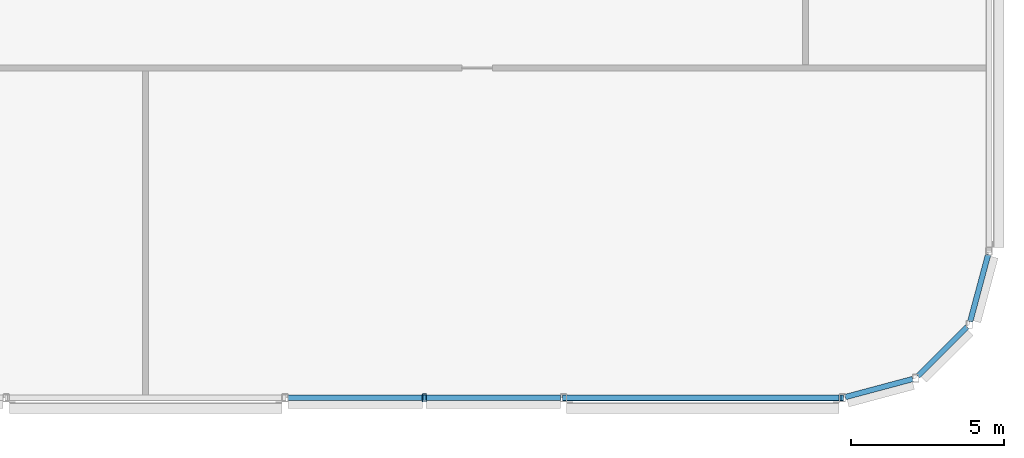
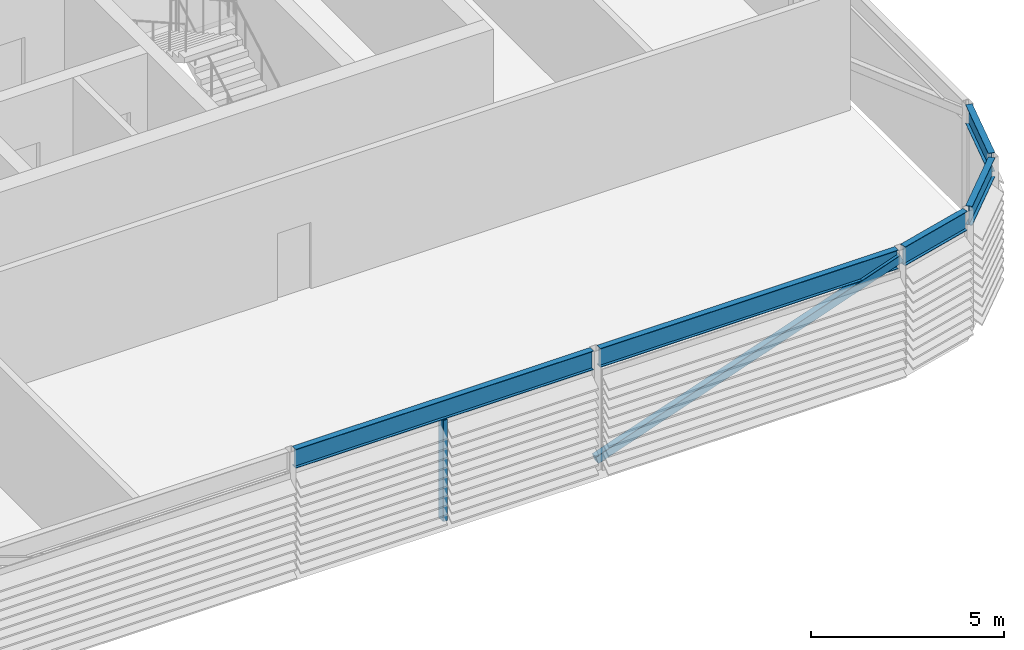
# One storey, part 8 of 28: 5 beams, 2 members.
"""IFC4 building model written with IfcOpenShell, lengths in metres."""

import ifcopenshell
import ifcopenshell.guid

model = None  # the IFC model being written
_history = None  # IfcOwnerHistory: only IFC2X3 demands one
_inside = {}  # id of a spatial element -> (the spatial element, [elements in it])
_under = {}  # id of a project, library or spatial element -> (it, [spatial elements below it])
_declared = {}  # id of a project -> (the project, [libraries it declares])
_typed = {}  # id of a type object -> (the type object, [elements of that type])
_made_of = {}  # id of a material, layer set ... -> (it, [elements and type objects made of it])


def new_model(schema):
    """Start an empty IFC model of exactly this schema.

    Asked for "IFC4X3", IfcOpenShell would pick the latest addendum, in which some entities
    have other attributes; the version numbers below select the first issue.
    IFC2X3 requires an IfcOwnerHistory on every rooted entity: one is made here for all.
    """
    global model, _history
    if schema == "IFC4X3":
        model = ifcopenshell.file(schema_version=(4, 3, 0, 0))
    else:
        model = ifcopenshell.file(schema=schema)
    _inside.clear()
    _under.clear()
    _declared.clear()
    _typed.clear()
    _made_of.clear()
    _history = None
    if model.schema == "IFC2X3":
        org = make("IfcOrganization", Name="unknown")
        user = make(
            "IfcPersonAndOrganization",
            ThePerson=make("IfcPerson", FamilyName="unknown"),
            TheOrganization=org,
        )
        app = make(
            "IfcApplication",
            ApplicationDeveloper=org,
            Version="unknown",
            ApplicationFullName="unknown",
            ApplicationIdentifier="unknown",
        )
        _history = make(
            "IfcOwnerHistory",
            OwningUser=user,
            OwningApplication=app,
            ChangeAction="ADDED",
            CreationDate=0,
        )
    return model


def make(cls, **values):
    """One entity of the class cls with the attributes given. An attribute that is None is left unset."""
    return model.create_entity(
        cls, **{name: value for name, value in values.items() if value is not None}
    )


def rooted(cls, **values):
    """An entity with a GlobalId (a new one), such as an element, a storey or a relation."""
    return make(cls, GlobalId=ifcopenshell.guid.new(), OwnerHistory=_history, **values)


def si_unit(unit_type, name, prefix=None):
    """IfcSIUnit, for example si_unit("LENGTHUNIT", "METRE", prefix="MILLI")."""
    return make("IfcSIUnit", UnitType=unit_type, Prefix=prefix, Name=name)


def assignment(units):
    """IfcUnitAssignment: the units of a project."""
    return None if units is None else make("IfcUnitAssignment", Units=units)


def point(xyz):
    """IfcCartesianPoint."""
    return None if xyz is None else make("IfcCartesianPoint", Coordinates=xyz)


def direction(xyz):
    """IfcDirection."""
    return None if xyz is None else make("IfcDirection", DirectionRatios=xyz)


def frame(location, z_axis=None, x_axis=None):
    """IfcAxis2Placement3D, a coordinate frame: its origin and axes. An axis left out is left unset."""
    return make(
        "IfcAxis2Placement3D",
        Location=point(location),
        Axis=direction(z_axis),
        RefDirection=direction(x_axis),
    )


def frame_2d(location, x_axis=None):
    """IfcAxis2Placement2D, a coordinate frame in the plane: its origin and x axis."""
    return make(
        "IfcAxis2Placement2D", Location=point(location), RefDirection=direction(x_axis)
    )


def origin():
    """The frame at (0, 0, 0) with its axes left unset."""
    return frame((0.0, 0.0, 0.0))


def origin_2d():
    """The frame at (0, 0) in the plane with its x axis left unset."""
    return frame_2d((0.0, 0.0))


def place(relative_to, where):
    """IfcLocalPlacement: puts the frame where relative to a parent placement (None: the world)."""
    return make(
        "IfcLocalPlacement", PlacementRelTo=relative_to, RelativePlacement=where
    )


def context(
    kind, dimensions, precision=None, world=None, true_north=None, identifier=None
):
    """IfcGeometricRepresentationContext, for example the 3D "Model" context."""
    return make(
        "IfcGeometricRepresentationContext",
        ContextIdentifier=identifier,
        ContextType=kind,
        CoordinateSpaceDimension=dimensions,
        Precision=precision,
        WorldCoordinateSystem=world,
        TrueNorth=true_north,
    )


def subcontext(parent, identifier, kind, view, scale=None):
    """IfcGeometricRepresentationSubContext, for example "Body" below "Model"."""
    return make(
        "IfcGeometricRepresentationSubContext",
        ContextIdentifier=identifier,
        ContextType=kind,
        ParentContext=parent,
        TargetScale=scale,
        TargetView=view,
    )


def project(units=None, contexts=None):
    """IfcProject with its units and contexts."""
    return rooted(
        "IfcProject",
        Name="project",
        RepresentationContexts=contexts,
        UnitsInContext=assignment(units),
    )


def spatial(cls, under=None, at=None, **own):
    """A site, building, storey or space (cls), placed at a placement, below another one or the project."""
    s = rooted(cls, ObjectPlacement=at, **own)
    if under is not None:
        _under.setdefault(under.id(), (under, []))[1].append(s)
    return s


def profile(cls, at=None, kind="AREA", **sizes):
    """A parametric profile (cls). Its sizes go by their IFC names, for example OverallWidth=200.0."""
    return make(cls, ProfileType=kind, Position=at, **sizes)


def hollow_rectangle(**sizes):
    """IfcRectangleHollowProfileDef."""
    return profile("IfcRectangleHollowProfileDef", **sizes)


def i_section(**sizes):
    """IfcIShapeProfileDef."""
    return profile("IfcIShapeProfileDef", **sizes)


def extrude(swept, where, along, depth):
    """IfcExtrudedAreaSolid: the profile swept, set in the frame where, extruded along a direction by depth."""
    return make(
        "IfcExtrudedAreaSolid",
        SweptArea=swept,
        Position=where,
        ExtrudedDirection=direction(along),
        Depth=depth,
    )


def shape(context_of_items, identifier, shape_type, items):
    """IfcShapeRepresentation: the items that make up one representation, for example the "Body"."""
    return make(
        "IfcShapeRepresentation",
        ContextOfItems=context_of_items,
        RepresentationIdentifier=identifier,
        RepresentationType=shape_type,
        Items=items,
    )


def material(Name=None, Category=None):
    """IfcMaterial."""
    return make("IfcMaterial", Name=Name, Category=Category)


def material_profile(
    of_material, cross_section, Name=None, Category=None, Priority=None
):
    """IfcMaterialProfile: a cross section and its material."""
    return make(
        "IfcMaterialProfile",
        Name=Name,
        Material=of_material,
        Profile=cross_section,
        Priority=Priority,
        Category=Category,
    )


def profile_set(profiles, Name=None, composite=None):
    """IfcMaterialProfileSet."""
    return make(
        "IfcMaterialProfileSet",
        Name=Name,
        MaterialProfiles=profiles,
        CompositeProfile=composite,
    )


def made_of(thing, what):
    """Note that an element or type object is made of a material, layer set ...; save() writes the relation."""
    if what is not None:
        _made_of.setdefault(what.id(), (what, []))[1].append(thing)
    return thing


def type_object(cls, material=None, **own):
    """A type object (cls), such as IfcWallType, which elements share."""
    return made_of(rooted(cls, **own), material)


def element(
    cls,
    number,
    at=None,
    inside=None,
    cuts=None,
    type_object=None,
    material=None,
    context=None,
    identifier="Body",
    shape_type=None,
    held_by="IfcProductDefinitionShape",
    body=None,
    shapes=None,
    **own,
):
    """One element of the class cls, such as IfcWall. Its Tag is "e" and its number.

    at: its placement. inside: the storey or other place that contains it. cuts: it is an
    opening in that element (IfcRelVoidsElement). A single representation is given by context,
    identifier, shape_type and body (its items); several are given by shapes. held_by: the class
    of the entity that holds the representations. save() writes the other relations.
    """
    e = rooted(cls, Tag="e%d" % number, ObjectPlacement=at, **own)
    if body is not None:
        shapes = [shape(context, identifier, shape_type, body)]
    if shapes is not None:
        e.Representation = make(held_by, Representations=shapes)
    if inside is not None:
        _inside.setdefault(inside.id(), (inside, []))[1].append(e)
    if cuts is not None:
        rooted(
            "IfcRelVoidsElement", RelatingBuildingElement=cuts, RelatedOpeningElement=e
        )
    if type_object is not None:
        _typed.setdefault(type_object.id(), (type_object, []))[1].append(e)
    return made_of(e, material)


def aggregate(whole, parts):
    """IfcRelAggregates: a whole, such as a stair, and the parts it consists of."""
    return rooted("IfcRelAggregates", RelatingObject=whole, RelatedObjects=parts)


def save(model, path):
    """Write the relations noted so far, then the file.

    IfcRelAggregates (storeys below a building ...), IfcRelContainedInSpatialStructure (elements
    in a storey), IfcRelDefinesByType, IfcRelAssociatesMaterial and IfcRelDeclares: one each for
    every whole, place, type object, material and project.
    """
    for whole, parts in _under.values():
        aggregate(whole, parts)
    for where, things in _inside.values():
        rooted(
            "IfcRelContainedInSpatialStructure",
            RelatedElements=things,
            RelatingStructure=where,
        )
    for kind, things in _typed.values():
        rooted("IfcRelDefinesByType", RelatedObjects=things, RelatingType=kind)
    for what, things in _made_of.values():
        rooted("IfcRelAssociatesMaterial", RelatedObjects=things, RelatingMaterial=what)
    for by, libraries in _declared.values():
        rooted("IfcRelDeclares", RelatingContext=by, RelatedDefinitions=libraries)
    model.write(path)


model = new_model("IFC4")

# Units and contexts
model_context = context("Model", 3, precision=1e-05, world=origin(), true_north=direction((0.0, 1.0)))
body_context = subcontext(model_context, "Body", "Model", "MODEL_VIEW")
ifc_project = project(units=[si_unit("LENGTHUNIT", "METRE"), si_unit("AREAUNIT", "SQUARE_METRE"), si_unit("VOLUMEUNIT", "CUBIC_METRE"), si_unit("PLANEANGLEUNIT", "RADIAN"), si_unit("MASSUNIT", "GRAM", prefix="KILO")], contexts=[model_context])

# Site, building, storey
site_placement = place(None, origin())
site = spatial("IfcSite", under=ifc_project, at=site_placement, CompositionType="ELEMENT")
building_placement = place(site_placement, origin())
building = spatial("IfcBuilding", under=site, at=building_placement, Name="Madar Terraces", CompositionType="ELEMENT")
storey_placement = place(building_placement, frame((0.0, 0.0, 310.10009765625)))
storey = spatial("IfcBuildingStorey", under=building, at=storey_placement, Name="L80", CompositionType="ELEMENT", Elevation=310.10009765625)

# Beams
ifc_material_1 = material(Name="Steel ASTM A992 Grade 50", Category="steel")
ifc_material_profile_1 = material_profile(ifc_material_1, i_section(OverallWidth=0.1787109375, OverallDepth=0.60205078125, WebThickness=0.010986328125, FlangeThickness=0.014892578125, at=origin_2d()), Name="W24x62")
ifc_profile_set_1 = profile_set([ifc_material_profile_1], Name="Steel ASTM A992 Grade 50")
beam_type = type_object("IfcBeamType", Name="CF2 W24x62", PredefinedType="BEAM", material=ifc_profile_set_1)
for number, where, z_axis, x_axis, name in (
    (1, (33.461669921875, 1.199951171875, 3.4990234375), (1.0, 0.0, 0.0), (0.0, 1.0, 0.0), "Crown frame ring beam CF2"),
    (2, (42.58154296875, 1.199951171875, 3.4990234375), (1.0, 0.0, 0.0), (0.0, 1.0, 0.0), "Crown frame ring beam CF2"),
):
    element("IfcBeam", number, at=place(storey_placement, frame(where, z_axis=z_axis, x_axis=x_axis)), inside=storey, type_object=beam_type, Name=name, PredefinedType="BEAM", context=body_context, shape_type="SweptSolid", body=[
        extrude(i_section(OverallWidth=0.1787109375, OverallDepth=0.60205078125, WebThickness=0.010986328125, FlangeThickness=0.014892578125, at=origin_2d()), origin(), (0.0, 0.0, 1.0), 8.916748046875),
    ])
beam_1_placement = place(storey_placement, frame((51.6982421875, 1.226318359375, 3.4990234375), z_axis=(0.965912700012, 0.258868028067, 0.0), x_axis=(-0.258868028067, 0.965912700012, 0.0)))
element("IfcBeam", 3, at=beam_1_placement, inside=storey, type_object=beam_type, Name="Crown frame ring beam CF2", PredefinedType="BEAM", context=body_context, shape_type="SweptSolid", body=[
    extrude(i_section(OverallWidth=0.1787109375, OverallDepth=0.60205078125, WebThickness=0.010986328125, FlangeThickness=0.014892578125, at=origin_2d()), origin(), (0.0, 0.0, 1.0), 2.281494140625),
])
beam_2_placement = place(storey_placement, frame((54.07177734375, 1.9150390625, 3.4990234375), z_axis=(0.707160287053, 0.707053271271, 0.0), x_axis=(-0.707053271271, 0.707160287053, 0.0)))
element("IfcBeam", 4, at=beam_2_placement, inside=storey, type_object=beam_type, Name="Crown frame ring beam CF2", PredefinedType="BEAM", context=body_context, shape_type="SweptSolid", body=[
    extrude(i_section(OverallWidth=0.1787109375, OverallDepth=0.60205078125, WebThickness=0.010986328125, FlangeThickness=0.014892578125, at=origin_2d()), origin(), (0.0, 0.0, 1.0), 2.28125),
])
beam_3_placement = place(storey_placement, frame((55.783203125, 3.6982421875, 3.4990234375), z_axis=(0.258868028067, 0.965912700012, 0.0), x_axis=(-0.965912700012, 0.258868028067, 0.0)))
element("IfcBeam", 5, at=beam_3_placement, inside=storey, type_object=beam_type, Name="Crown frame ring beam CF2", PredefinedType="BEAM", context=body_context, shape_type="SweptSolid", body=[
    extrude(i_section(OverallWidth=0.1787109375, OverallDepth=0.60205078125, WebThickness=0.010986328125, FlangeThickness=0.014892578125, at=origin_2d()), origin(), (0.0, 0.0, 1.0), 2.281494140625),
])

# Members
ifc_material_2 = material(Name="Steel ASTM A500 Grade C", Category="steel")
ifc_material_profile_2 = material_profile(ifc_material_2, hollow_rectangle(XDim=0.203125, YDim=0.25390625, WallThickness=0.009521484375, InnerFilletRadius=0.00439453125, OuterFilletRadius=0.01318359375, at=origin_2d()), Name="HSS10x8x.375")
ifc_profile_set_2 = profile_set([ifc_material_profile_2], Name="Steel ASTM A500 Grade C")
member_type_1 = type_object("IfcMemberType", Name="CF5 crown frame brace HSS10x8x.375", PredefinedType="BRACE", material=ifc_profile_set_2)
member_1_placement = place(storey_placement, frame((42.47998046875, 1.199951171875, 0.2998046875), z_axis=(0.943626561673, 0.0, 0.331011951605), x_axis=(0.0, 1.0, 0.0)))
element("IfcMember", 6, at=member_1_placement, inside=storey, type_object=member_type_1, Name="Crown frame brace CF5", PredefinedType="BRACE", context=body_context, shape_type="SweptSolid", body=[
    extrude(hollow_rectangle(XDim=0.203125, YDim=0.25390625, WallThickness=0.009521484375, InnerFilletRadius=0.00439453125, OuterFilletRadius=0.01318359375, at=origin_2d()), origin(), (0.0, 0.0, 1.0), 9.6650390625),
])
ifc_material_3 = material(Name="Steel ASTM A500 Grade C", Category="steel")
ifc_material_profile_3 = material_profile(ifc_material_3, hollow_rectangle(XDim=0.126953125, YDim=0.25390625, WallThickness=0.00634765625, InnerFilletRadius=0.0029296875, OuterFilletRadius=0.0087890625, at=origin_2d()), Name="HSS10x5x.25")
ifc_profile_set_3 = profile_set([ifc_material_profile_3], Name="Steel ASTM A500 Grade C")
member_type_2 = type_object("IfcMemberType", Name="LS2 HSS10x5x.25", PredefinedType="POST", material=ifc_profile_set_3)
member_2_placement = place(storey_placement, frame((37.919921875, 1.199951171875, 0.0), z_axis=(0.0, 0.0, 1.0), x_axis=(1.0, 0.0, 0.0)))
element("IfcMember", 7, at=member_2_placement, inside=storey, type_object=member_type_2, Name="Crown louvre post LS2", PredefinedType="POST", context=body_context, shape_type="SweptSolid", body=[
    extrude(hollow_rectangle(XDim=0.126953125, YDim=0.25390625, WallThickness=0.00634765625, InnerFilletRadius=0.0029296875, OuterFilletRadius=0.0087890625, at=origin_2d()), origin(), (0.0, 0.0, 1.0), 3.197998046875),
])

save(model, "model.ifc")
